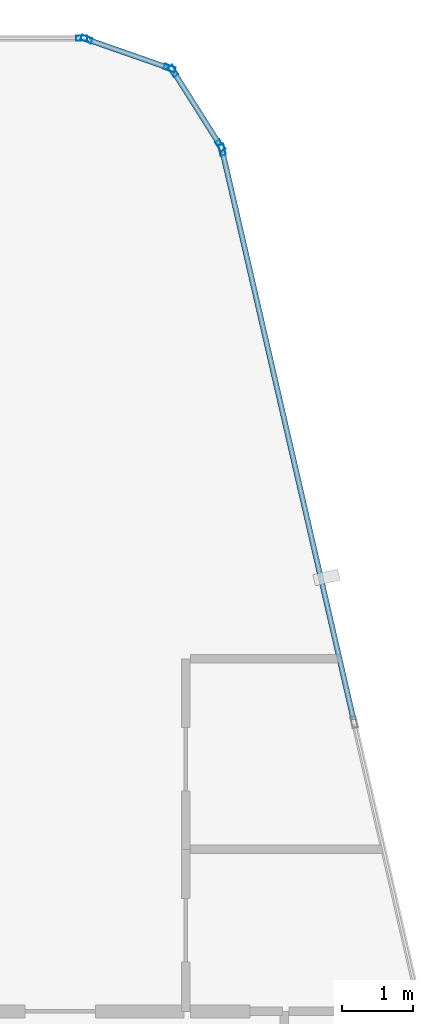
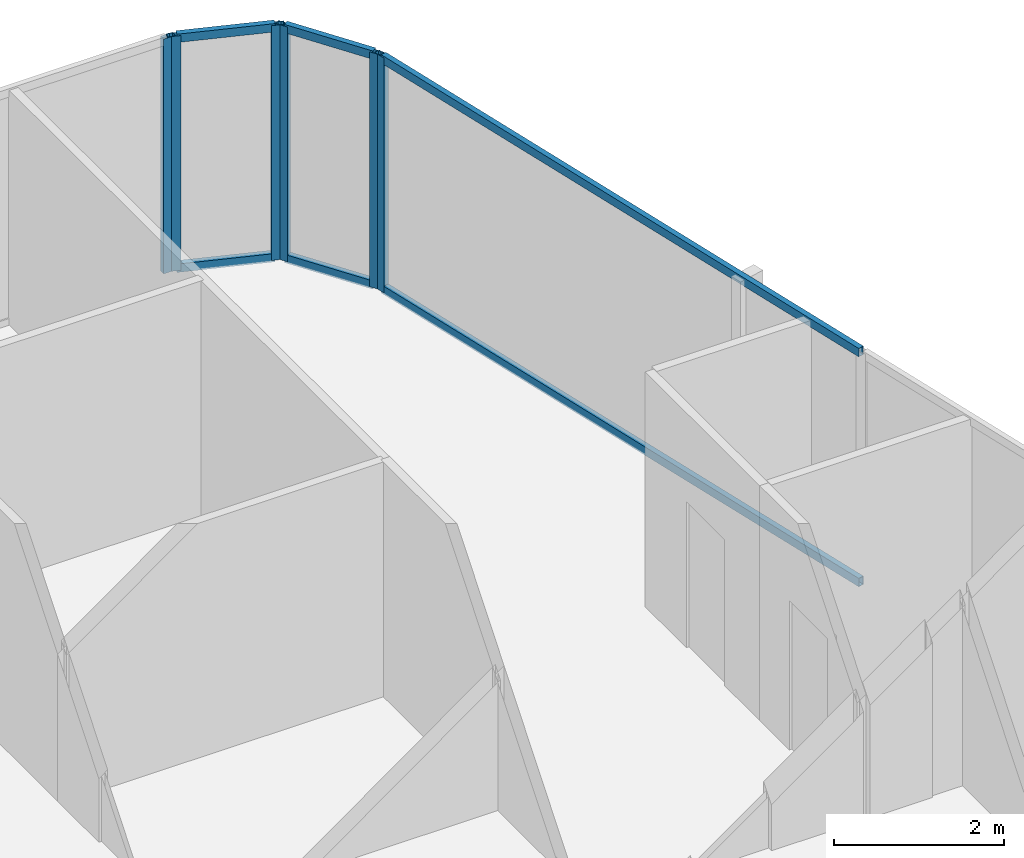
# One storey, part 21 of 29: 12 members, 4 elements without a shape of their own.
"""IFC4 building model written with IfcOpenShell, lengths in metres."""

import ifcopenshell
import ifcopenshell.guid

model = None  # the IFC model being written
_history = None  # IfcOwnerHistory: only IFC2X3 demands one
_inside = {}  # id of a spatial element -> (the spatial element, [elements in it])
_under = {}  # id of a project, library or spatial element -> (it, [spatial elements below it])
_declared = {}  # id of a project -> (the project, [libraries it declares])
_typed = {}  # id of a type object -> (the type object, [elements of that type])
_made_of = {}  # id of a material, layer set ... -> (it, [elements and type objects made of it])


def new_model(schema):
    """Start an empty IFC model of exactly this schema.

    Asked for "IFC4X3", IfcOpenShell would pick the latest addendum, in which some entities
    have other attributes; the version numbers below select the first issue.
    IFC2X3 requires an IfcOwnerHistory on every rooted entity: one is made here for all.
    """
    global model, _history
    if schema == "IFC4X3":
        model = ifcopenshell.file(schema_version=(4, 3, 0, 0))
    else:
        model = ifcopenshell.file(schema=schema)
    _inside.clear()
    _under.clear()
    _declared.clear()
    _typed.clear()
    _made_of.clear()
    _history = None
    if model.schema == "IFC2X3":
        org = make("IfcOrganization", Name="unknown")
        user = make(
            "IfcPersonAndOrganization",
            ThePerson=make("IfcPerson", FamilyName="unknown"),
            TheOrganization=org,
        )
        app = make(
            "IfcApplication",
            ApplicationDeveloper=org,
            Version="unknown",
            ApplicationFullName="unknown",
            ApplicationIdentifier="unknown",
        )
        _history = make(
            "IfcOwnerHistory",
            OwningUser=user,
            OwningApplication=app,
            ChangeAction="ADDED",
            CreationDate=0,
        )
    return model


def make(cls, **values):
    """One entity of the class cls with the attributes given. An attribute that is None is left unset."""
    return model.create_entity(
        cls, **{name: value for name, value in values.items() if value is not None}
    )


def rooted(cls, **values):
    """An entity with a GlobalId (a new one), such as an element, a storey or a relation."""
    return make(cls, GlobalId=ifcopenshell.guid.new(), OwnerHistory=_history, **values)


def si_unit(unit_type, name, prefix=None):
    """IfcSIUnit, for example si_unit("LENGTHUNIT", "METRE", prefix="MILLI")."""
    return make("IfcSIUnit", UnitType=unit_type, Prefix=prefix, Name=name)


def assignment(units):
    """IfcUnitAssignment: the units of a project."""
    return None if units is None else make("IfcUnitAssignment", Units=units)


def point(xyz):
    """IfcCartesianPoint."""
    return None if xyz is None else make("IfcCartesianPoint", Coordinates=xyz)


def direction(xyz):
    """IfcDirection."""
    return None if xyz is None else make("IfcDirection", DirectionRatios=xyz)


def frame(location, z_axis=None, x_axis=None):
    """IfcAxis2Placement3D, a coordinate frame: its origin and axes. An axis left out is left unset."""
    return make(
        "IfcAxis2Placement3D",
        Location=point(location),
        Axis=direction(z_axis),
        RefDirection=direction(x_axis),
    )


def frame_2d(location, x_axis=None):
    """IfcAxis2Placement2D, a coordinate frame in the plane: its origin and x axis."""
    return make(
        "IfcAxis2Placement2D", Location=point(location), RefDirection=direction(x_axis)
    )


def origin():
    """The frame at (0, 0, 0) with its axes left unset."""
    return frame((0.0, 0.0, 0.0))


def origin_2d():
    """The frame at (0, 0) in the plane with its x axis left unset."""
    return frame_2d((0.0, 0.0))


def place(relative_to, where):
    """IfcLocalPlacement: puts the frame where relative to a parent placement (None: the world)."""
    return make(
        "IfcLocalPlacement", PlacementRelTo=relative_to, RelativePlacement=where
    )


def context(
    kind, dimensions, precision=None, world=None, true_north=None, identifier=None
):
    """IfcGeometricRepresentationContext, for example the 3D "Model" context."""
    return make(
        "IfcGeometricRepresentationContext",
        ContextIdentifier=identifier,
        ContextType=kind,
        CoordinateSpaceDimension=dimensions,
        Precision=precision,
        WorldCoordinateSystem=world,
        TrueNorth=true_north,
    )


def subcontext(parent, identifier, kind, view, scale=None):
    """IfcGeometricRepresentationSubContext, for example "Body" below "Model"."""
    return make(
        "IfcGeometricRepresentationSubContext",
        ContextIdentifier=identifier,
        ContextType=kind,
        ParentContext=parent,
        TargetScale=scale,
        TargetView=view,
    )


def project(units=None, contexts=None):
    """IfcProject with its units and contexts."""
    return rooted(
        "IfcProject",
        Name="project",
        RepresentationContexts=contexts,
        UnitsInContext=assignment(units),
    )


def spatial(cls, under=None, at=None, **own):
    """A site, building, storey or space (cls), placed at a placement, below another one or the project."""
    s = rooted(cls, ObjectPlacement=at, **own)
    if under is not None:
        _under.setdefault(under.id(), (under, []))[1].append(s)
    return s


def profile(cls, at=None, kind="AREA", **sizes):
    """A parametric profile (cls). Its sizes go by their IFC names, for example OverallWidth=200.0."""
    return make(cls, ProfileType=kind, Position=at, **sizes)


def hollow_rectangle(**sizes):
    """IfcRectangleHollowProfileDef."""
    return profile("IfcRectangleHollowProfileDef", **sizes)


def extrude(swept, where, along, depth):
    """IfcExtrudedAreaSolid: the profile swept, set in the frame where, extruded along a direction by depth."""
    return make(
        "IfcExtrudedAreaSolid",
        SweptArea=swept,
        Position=where,
        ExtrudedDirection=direction(along),
        Depth=depth,
    )


def shape(context_of_items, identifier, shape_type, items):
    """IfcShapeRepresentation: the items that make up one representation, for example the "Body"."""
    return make(
        "IfcShapeRepresentation",
        ContextOfItems=context_of_items,
        RepresentationIdentifier=identifier,
        RepresentationType=shape_type,
        Items=items,
    )


def material(Name=None, Category=None):
    """IfcMaterial."""
    return make("IfcMaterial", Name=Name, Category=Category)


def layer(
    of_material, thickness, ventilated=None, Name=None, Category=None, Priority=None
):
    """IfcMaterialLayer: one layer of a wall or slab, of a material (None: an air gap)."""
    return make(
        "IfcMaterialLayer",
        Material=of_material,
        LayerThickness=thickness,
        IsVentilated=ventilated,
        Name=Name,
        Category=Category,
        Priority=Priority,
    )


def layer_set(layers, Name=None):
    """IfcMaterialLayerSet."""
    return make("IfcMaterialLayerSet", MaterialLayers=layers, LayerSetName=Name)


def material_profile(
    of_material, cross_section, Name=None, Category=None, Priority=None
):
    """IfcMaterialProfile: a cross section and its material."""
    return make(
        "IfcMaterialProfile",
        Name=Name,
        Material=of_material,
        Profile=cross_section,
        Priority=Priority,
        Category=Category,
    )


def profile_set(profiles, Name=None, composite=None):
    """IfcMaterialProfileSet."""
    return make(
        "IfcMaterialProfileSet",
        Name=Name,
        MaterialProfiles=profiles,
        CompositeProfile=composite,
    )


def made_of(thing, what):
    """Note that an element or type object is made of a material, layer set ...; save() writes the relation."""
    if what is not None:
        _made_of.setdefault(what.id(), (what, []))[1].append(thing)
    return thing


def type_object(cls, material=None, **own):
    """A type object (cls), such as IfcWallType, which elements share."""
    return made_of(rooted(cls, **own), material)


def element(
    cls,
    number,
    at=None,
    inside=None,
    cuts=None,
    type_object=None,
    material=None,
    context=None,
    identifier="Body",
    shape_type=None,
    held_by="IfcProductDefinitionShape",
    body=None,
    shapes=None,
    **own,
):
    """One element of the class cls, such as IfcWall. Its Tag is "e" and its number.

    at: its placement. inside: the storey or other place that contains it. cuts: it is an
    opening in that element (IfcRelVoidsElement). A single representation is given by context,
    identifier, shape_type and body (its items); several are given by shapes. held_by: the class
    of the entity that holds the representations. save() writes the other relations.
    """
    e = rooted(cls, Tag="e%d" % number, ObjectPlacement=at, **own)
    if body is not None:
        shapes = [shape(context, identifier, shape_type, body)]
    if shapes is not None:
        e.Representation = make(held_by, Representations=shapes)
    if inside is not None:
        _inside.setdefault(inside.id(), (inside, []))[1].append(e)
    if cuts is not None:
        rooted(
            "IfcRelVoidsElement", RelatingBuildingElement=cuts, RelatedOpeningElement=e
        )
    if type_object is not None:
        _typed.setdefault(type_object.id(), (type_object, []))[1].append(e)
    return made_of(e, material)


def aggregate(whole, parts):
    """IfcRelAggregates: a whole, such as a stair, and the parts it consists of."""
    return rooted("IfcRelAggregates", RelatingObject=whole, RelatedObjects=parts)


def save(model, path):
    """Write the relations noted so far, then the file.

    IfcRelAggregates (storeys below a building ...), IfcRelContainedInSpatialStructure (elements
    in a storey), IfcRelDefinesByType, IfcRelAssociatesMaterial and IfcRelDeclares: one each for
    every whole, place, type object, material and project.
    """
    for whole, parts in _under.values():
        aggregate(whole, parts)
    for where, things in _inside.values():
        rooted(
            "IfcRelContainedInSpatialStructure",
            RelatedElements=things,
            RelatingStructure=where,
        )
    for kind, things in _typed.values():
        rooted("IfcRelDefinesByType", RelatedObjects=things, RelatingType=kind)
    for what, things in _made_of.values():
        rooted("IfcRelAssociatesMaterial", RelatedObjects=things, RelatingMaterial=what)
    for by, libraries in _declared.values():
        rooted("IfcRelDeclares", RelatingContext=by, RelatedDefinitions=libraries)
    model.write(path)


model = new_model("IFC4")

# Units and contexts
model_context = context("Model", 3, precision=1e-05, world=origin(), true_north=direction((0.0, 1.0)))
body_context = subcontext(model_context, "Body", "Model", "MODEL_VIEW")
ifc_project = project(units=[si_unit("LENGTHUNIT", "METRE"), si_unit("AREAUNIT", "SQUARE_METRE"), si_unit("VOLUMEUNIT", "CUBIC_METRE"), si_unit("PLANEANGLEUNIT", "RADIAN"), si_unit("MASSUNIT", "GRAM", prefix="KILO")], contexts=[model_context])

# Site, building, storey
site_placement = place(None, origin())
site = spatial("IfcSite", under=ifc_project, at=site_placement, CompositionType="ELEMENT")
building_placement = place(site_placement, origin())
building = spatial("IfcBuilding", under=site, at=building_placement, Name="Keshet Zoharim Tower", CompositionType="ELEMENT")
storey_placement = place(building_placement, frame((0.0, 0.0, 180.199951171875)))
storey = spatial("IfcBuildingStorey", under=building, at=storey_placement, Name="L44", CompositionType="ELEMENT", Elevation=180.199951171875)

# Curtain wall, member
ifc_material = material(Name="Aluminium 6063-T6", Category="aluminium")
ifc_layer = layer(ifc_material, 0.139892578125)
ifc_layer_set = layer_set([ifc_layer], Name="Aluminium 6063-T6")
curtain_wall_type = type_object("IfcCurtainWallType", Name="CW-SYS-05", PredefinedType="NOTDEFINED", material=ifc_layer_set)
curtain_wall_1_placement = place(storey_placement, origin())
curtain_wall_1 = element("IfcCurtainWall", 1, at=curtain_wall_1_placement, inside=storey, type_object=curtain_wall_type, Name="L44 Unitised Curtain Wall 16 Part 3", PredefinedType="NOTDEFINED")
ifc_material_profile_1 = material_profile(ifc_material, hollow_rectangle(XDim=0.074951171875, YDim=0.159912109375, WallThickness=0.00390625, at=origin_2d()), Name="MUL-75x160")
ifc_profile_set_1 = profile_set([ifc_material_profile_1], Name="Aluminium 6063-T6")
member_type_1 = type_object("IfcMemberType", Name="CWM-M15", PredefinedType="MULLION", material=ifc_profile_set_1)
member_1_placement = place(storey_placement, frame((37.3740234375, 53.89990234375, 0.0), z_axis=(0.0, 0.0, 1.0), x_axis=(0.0, 1.0, 0.0)))
member_1 = element("IfcMember", 2, at=member_1_placement, type_object=member_type_1, Name="CW-05 mullion 3", PredefinedType="MULLION", context=body_context, shape_type="SweptSolid", body=[
    extrude(hollow_rectangle(XDim=0.074951171875, YDim=0.159912109375, WallThickness=0.00390625, at=origin_2d()), origin(), (0.0, 0.0, 1.0), 3.380126953125),
])
aggregate(curtain_wall_1, [member_1])

# Curtain wall, members
curtain_wall_2_placement = place(storey_placement, origin())
curtain_wall_2 = element("IfcCurtainWall", 3, at=curtain_wall_2_placement, inside=storey, type_object=curtain_wall_type, Name="L44 Unitised Curtain Wall 17", PredefinedType="NOTDEFINED")
member_2_placement = place(storey_placement, frame((37.442138671875, 53.888427734375, 0.0), z_axis=(0.0, 0.0, 1.0), x_axis=(0.329843743636, 0.944035542119, 0.0)))
member_2 = element("IfcMember", 4, at=member_2_placement, type_object=member_type_1, Name="CW-05 mullion 1", PredefinedType="MULLION", context=body_context, shape_type="SweptSolid", body=[
    extrude(hollow_rectangle(XDim=0.074951171875, YDim=0.159912109375, WallThickness=0.00390625, at=origin_2d()), origin(), (0.0, 0.0, 1.0), 3.380126953125),
])
member_3_placement = place(storey_placement, frame((38.620849609375, 53.4765625, 0.0), z_axis=(0.0, 0.0, 1.0), x_axis=(0.329843743636, 0.944035542119, 0.0)))
member_3 = element("IfcMember", 5, at=member_3_placement, type_object=member_type_1, Name="CW-05 mullion 2", PredefinedType="MULLION", context=body_context, shape_type="SweptSolid", body=[
    extrude(hollow_rectangle(XDim=0.074951171875, YDim=0.159912109375, WallThickness=0.00390625, at=origin_2d()), origin(), (0.0, 0.0, 1.0), 3.380126953125),
])

curtain_wall_3_placement = place(storey_placement, origin())
curtain_wall_3 = element("IfcCurtainWall", 6, at=curtain_wall_3_placement, inside=storey, type_object=curtain_wall_type, Name="L44 Unitised Curtain Wall 18", PredefinedType="NOTDEFINED")
member_4_placement = place(storey_placement, frame((38.672607421875, 53.435302734375, 0.0), z_axis=(0.0, 0.0, 1.0), x_axis=(0.845560976183, 0.533878858502, 0.0)))
member_4 = element("IfcMember", 7, at=member_4_placement, type_object=member_type_1, Name="CW-05 mullion 1", PredefinedType="MULLION", context=body_context, shape_type="SweptSolid", body=[
    extrude(hollow_rectangle(XDim=0.074951171875, YDim=0.159912109375, WallThickness=0.00390625, at=origin_2d()), origin(), (0.0, 0.0, 1.0), 3.380126953125),
])
member_5_placement = place(storey_placement, frame((39.33935546875, 52.379638671875, 0.0), z_axis=(0.0, 0.0, 1.0), x_axis=(0.845560976183, 0.533878858502, 0.0)))
member_5 = element("IfcMember", 8, at=member_5_placement, type_object=member_type_1, Name="CW-05 mullion 2", PredefinedType="MULLION", context=body_context, shape_type="SweptSolid", body=[
    extrude(hollow_rectangle(XDim=0.074951171875, YDim=0.159912109375, WallThickness=0.00390625, at=origin_2d()), origin(), (0.0, 0.0, 1.0), 3.380126953125),
])

# Curtain wall, member
curtain_wall_4_placement = place(storey_placement, origin())
curtain_wall_4 = element("IfcCurtainWall", 9, at=curtain_wall_4_placement, inside=storey, type_object=curtain_wall_type, Name="L44 Unitised Curtain Wall 19", PredefinedType="NOTDEFINED")
member_6_placement = place(storey_placement, frame((39.365966796875, 52.31591796875, 0.0), z_axis=(0.0, 0.0, 1.0), x_axis=(0.974393882313, 0.224847864369, 0.0)))
member_6 = element("IfcMember", 10, at=member_6_placement, type_object=member_type_1, Name="CW-05 mullion 1", PredefinedType="MULLION", context=body_context, shape_type="SweptSolid", body=[
    extrude(hollow_rectangle(XDim=0.074951171875, YDim=0.159912109375, WallThickness=0.00390625, at=origin_2d()), origin(), (0.0, 0.0, 1.0), 3.380126953125),
])

# Member
ifc_material_profile_2 = material_profile(ifc_material, hollow_rectangle(XDim=0.074951171875, YDim=0.1201171875, WallThickness=0.00390625, at=origin_2d()), Name="TRN-75x120")
ifc_profile_set_2 = profile_set([ifc_material_profile_2], Name="Aluminium 6063-T6")
member_type_2 = type_object("IfcMemberType", Name="CWT-T12", PredefinedType="USERDEFINED", material=ifc_profile_set_2)
member_7_placement = place(storey_placement, frame((37.47509765625, 53.876953125, 0.03515625), z_axis=(0.944006789648, -0.329926023675, 0.0), x_axis=(0.329926023675, 0.944006789648, 0.0)))
member_7 = element("IfcMember", 11, at=member_7_placement, type_object=member_type_2, Name="CW-05 transom 1.1", ObjectType="TRANSOM", PredefinedType="USERDEFINED", context=body_context, shape_type="SweptSolid", body=[
    extrude(hollow_rectangle(XDim=0.074951171875, YDim=0.1201171875, WallThickness=0.00390625, at=origin_2d()), origin(), (0.0, 0.0, 1.0), 1.1787109375),
])

member_8_placement = place(storey_placement, frame((37.47509765625, 53.876953125, 3.344970703125), z_axis=(0.944006789648, -0.329926023675, 0.0), x_axis=(0.329926023675, 0.944006789648, 0.0)))
member_8 = element("IfcMember", 12, at=member_8_placement, type_object=member_type_2, Name="CW-05 transom 1.2", ObjectType="TRANSOM", PredefinedType="USERDEFINED", context=body_context, shape_type="SweptSolid", body=[
    extrude(hollow_rectangle(XDim=0.074951171875, YDim=0.1201171875, WallThickness=0.00390625, at=origin_2d()), origin(), (0.0, 0.0, 1.0), 1.1787109375),
])

aggregate(curtain_wall_2, [member_2, member_3, member_7, member_8])

member_9_placement = place(storey_placement, frame((38.69140625, 53.40576171875, 0.03515625), z_axis=(0.53382931122, -0.845592257819, 0.0), x_axis=(0.845592257819, 0.53382931122, 0.0)))
member_9 = element("IfcMember", 13, at=member_9_placement, type_object=member_type_2, Name="CW-05 transom 1.1", ObjectType="TRANSOM", PredefinedType="USERDEFINED", context=body_context, shape_type="SweptSolid", body=[
    extrude(hollow_rectangle(XDim=0.074951171875, YDim=0.1201171875, WallThickness=0.00390625, at=origin_2d()), origin(), (0.0, 0.0, 1.0), 1.178466796875),
])

member_10_placement = place(storey_placement, frame((38.69140625, 53.40576171875, 3.344970703125), z_axis=(0.53382931122, -0.845592257819, 0.0), x_axis=(0.845592257819, 0.53382931122, 0.0)))
member_10 = element("IfcMember", 14, at=member_10_placement, type_object=member_type_2, Name="CW-05 transom 1.2", ObjectType="TRANSOM", PredefinedType="USERDEFINED", context=body_context, shape_type="SweptSolid", body=[
    extrude(hollow_rectangle(XDim=0.074951171875, YDim=0.1201171875, WallThickness=0.00390625, at=origin_2d()), origin(), (0.0, 0.0, 1.0), 1.178466796875),
])

aggregate(curtain_wall_3, [member_4, member_5, member_9, member_10])

member_11_placement = place(storey_placement, frame((39.373779296875, 52.28173828125, 0.03515625), z_axis=(0.224835758738, -0.974396675688, 0.0), x_axis=(0.974396675688, 0.224835758738, 0.0)))
member_11 = element("IfcMember", 15, at=member_11_placement, type_object=member_type_2, Name="CW-05 transom 1.1", ObjectType="TRANSOM", PredefinedType="USERDEFINED", context=body_context, shape_type="SweptSolid", body=[
    extrude(hollow_rectangle(XDim=0.074951171875, YDim=0.1201171875, WallThickness=0.00390625, at=origin_2d()), origin(), (0.0, 0.0, 1.0), 8.259033203125),
])

member_12_placement = place(storey_placement, frame((39.373779296875, 52.28173828125, 3.344970703125), z_axis=(0.224835758738, -0.974396675688, 0.0), x_axis=(0.974396675688, 0.224835758738, 0.0)))
member_12 = element("IfcMember", 16, at=member_12_placement, type_object=member_type_2, Name="CW-05 transom 1.2", ObjectType="TRANSOM", PredefinedType="USERDEFINED", context=body_context, shape_type="SweptSolid", body=[
    extrude(hollow_rectangle(XDim=0.074951171875, YDim=0.1201171875, WallThickness=0.00390625, at=origin_2d()), origin(), (0.0, 0.0, 1.0), 8.259033203125),
])

aggregate(curtain_wall_4, [member_6, member_11, member_12])

save(model, "model.ifc")
